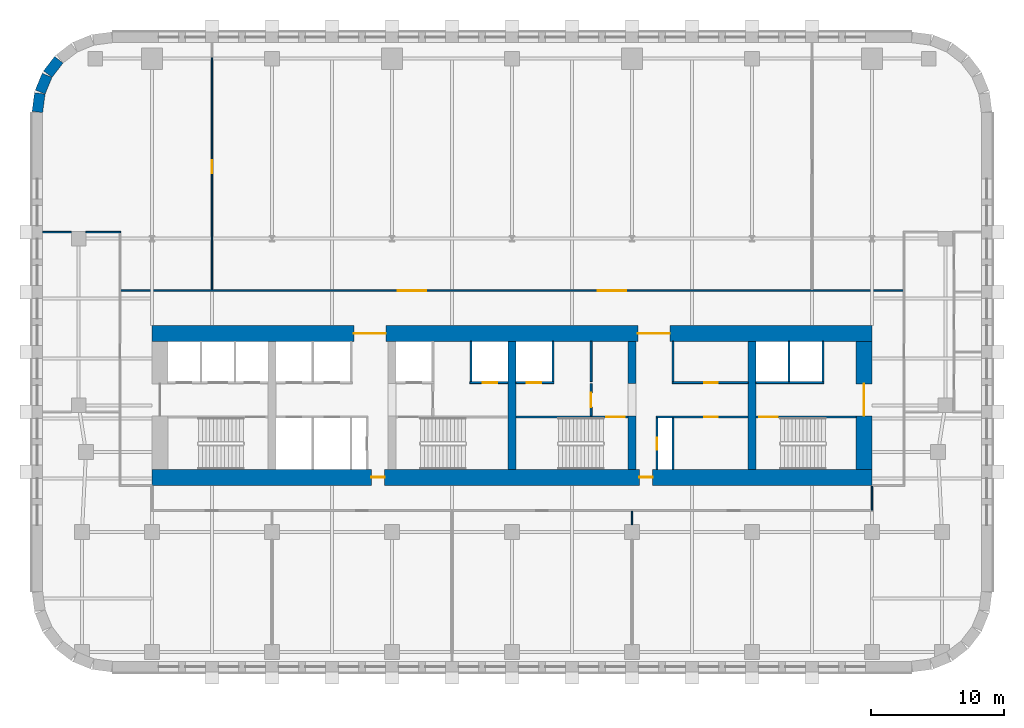
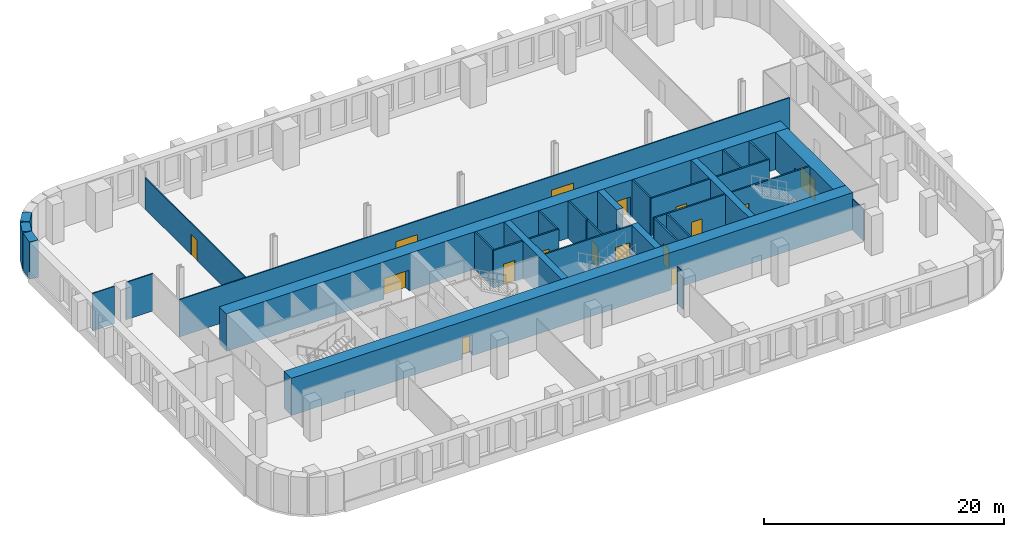
# One storey, part 6 of 11: 32 walls, 16 doors, 16 openings.
"""IFC4 building model written with IfcOpenShell, lengths in metres."""

from ifc_helpers import new_model, si_unit, direction, frame, frame_2d, origin, place, context, subcontext, project, spatial, rectangle, extrude, material, layer, layer_set, type_object, element, fill, save


model = new_model("IFC4")

# Units and contexts
model_context = context("Model", 3, precision=1e-05, world=origin(), true_north=direction((0.0, 1.0)))
body_context = subcontext(model_context, "Body", "Model", "MODEL_VIEW")
ifc_project = project(units=[si_unit("LENGTHUNIT", "METRE"), si_unit("AREAUNIT", "SQUARE_METRE"), si_unit("VOLUMEUNIT", "CUBIC_METRE"), si_unit("PLANEANGLEUNIT", "RADIAN"), si_unit("MASSUNIT", "GRAM", prefix="KILO")], contexts=[model_context])

# Site, building, storey
site_placement = place(None, origin())
site = spatial("IfcSite", under=ifc_project, at=site_placement, CompositionType="ELEMENT")
building_placement = place(site_placement, origin())
building = spatial("IfcBuilding", under=site, at=building_placement, Name="Zellij Exchange Tower", CompositionType="ELEMENT")
storey_placement = place(building_placement, frame((0.0, 0.0, 56.5)))
storey = spatial("IfcBuildingStorey", under=building, at=storey_placement, Name="L10", CompositionType="ELEMENT", Elevation=56.5)

# Walls
ifc_material_1 = material(Name="Concrete C70/85", Category="concrete")
ifc_layer_1 = layer(ifc_material_1, 0.60009765625)
ifc_layer_set_1 = layer_set([ifc_layer_1], Name="Concrete C70/85")
wall_type_1 = type_object("IfcWallType", Name="CORE-CW 600 C70/85", PredefinedType="SHEAR", material=ifc_layer_set_1)
wall_1_placement = place(storey_placement, frame((0.0, -12.800048828125, 0.0), z_axis=(0.0, 0.0, 1.0), x_axis=(0.0, 1.0, 0.0)))
element("IfcWall", 1, at=wall_1_placement, inside=storey, type_object=wall_type_1, Name="Core cross wall x 0 L10", PredefinedType="SHEAR", context=body_context, shape_type="SweptSolid", body=[
    extrude(rectangle(XDim=9.60009765625, YDim=0.60009765625, at=frame_2d((4.800048828125, 0.0))), origin(), (0.0, 0.0, 1.0), 3.800048828125),
])
wall_2_placement = place(storey_placement, frame((9.0, -12.800048828125, 0.0), z_axis=(0.0, 0.0, 1.0), x_axis=(0.0, 1.0, 0.0)))
element("IfcWall", 2, at=wall_2_placement, inside=storey, type_object=wall_type_1, Name="Core cross wall pier x 9 a L10", PredefinedType="SHEAR", context=body_context, shape_type="SweptSolid", body=[
    extrude(rectangle(XDim=4.0, YDim=0.60009765625, at=frame_2d((2.0, 0.0))), origin(), (0.0, 0.0, 1.0), 3.800048828125),
])
wall_3_placement = place(storey_placement, frame((9.0, -6.375, 0.0), z_axis=(0.0, 0.0, 1.0), x_axis=(0.0, 1.0, 0.0)))
element("IfcWall", 3, at=wall_3_placement, inside=storey, type_object=wall_type_1, Name="Core cross wall pier x 9 b L10", PredefinedType="SHEAR", context=body_context, shape_type="SweptSolid", body=[
    extrude(rectangle(XDim=3.175048828125, YDim=0.60009765625, at=frame_2d((1.58740234375, 0.0))), origin(), (0.0, 0.0, 1.0), 3.800048828125),
])
wall_4_placement = place(storey_placement, frame((18.0, -12.800048828125, 0.0), z_axis=(0.0, 0.0, 1.0), x_axis=(0.0, 1.0, 0.0)))
element("IfcWall", 4, at=wall_4_placement, inside=storey, type_object=wall_type_1, Name="Core cross wall x 18 L10", PredefinedType="SHEAR", context=body_context, shape_type="SweptSolid", body=[
    extrude(rectangle(XDim=9.60009765625, YDim=0.60009765625, at=frame_2d((4.800048828125, 0.0))), origin(), (0.0, 0.0, 1.0), 3.800048828125),
])

# Wall, opening, door
ifc_material_2 = material(Name="Gypsum shaft wall system")
ifc_layer_2 = layer(ifc_material_2, 0.14990234375)
ifc_layer_set_2 = layer_set([ifc_layer_2], Name="Gypsum shaft wall system")
wall_type_2 = type_object("IfcWallType", Name="CORE-PW 150 Firefighting lobby wall", PredefinedType="PARTITIONING", material=ifc_layer_set_2)
wall_5_placement = place(storey_placement, frame((5.925048828125, -8.800048828125, 0.0), z_axis=(0.0, 0.0, 1.0), x_axis=(0.0, 1.0, 0.0)))
wall_5 = element("IfcWall", 5, at=wall_5_placement, inside=storey, type_object=wall_type_2, Name="Firefighting lobby wall L10", PredefinedType="PARTITIONING", context=body_context, shape_type="SweptSolid", body=[
    extrude(rectangle(XDim=2.425048828125, YDim=0.14990234375, at=frame_2d((1.21240234375, 0.0))), origin(), (0.0, 0.0, 1.0), 3.800048828125),
])
opening_1_placement = place(wall_5_placement, frame((0.662109375, 0.0, 0.0)))
opening_1 = element("IfcOpeningElement", 6, at=opening_1_placement, cuts=wall_5, Name="Opening CA-07.18", PredefinedType="OPENING", context=body_context, shape_type="SweptSolid", body=[
    extrude(rectangle(XDim=1.10009765625, YDim=2.10009765625, at=frame_2d((0.550048828125, 1.050048828125))), frame((0.0, 0.0869140625, 0.0), z_axis=(0.0, -1.0, 0.0), x_axis=(1.0, 0.0, 0.0)), (0.0, 0.0, 1.0), 0.173828125),
])
ifc_material_3 = material(Name="Hollow metal fire door")
door_type_1 = type_object("IfcDoorType", Name="CORE-D F Firefighting lobby door 1100x2100 1 HR", OperationType="NOTDEFINED", PredefinedType="DOOR", material=ifc_material_3)
door_1_placement = place(opening_1_placement, origin())
door_1 = element("IfcDoor", 7, at=door_1_placement, inside=storey, type_object=door_type_1, Name="Firefighting lobby door CA-07.18", OperationType="SINGLE_SWING_RIGHT", OverallHeight=2.10009765625, OverallWidth=1.10009765625, PredefinedType="DOOR", context=body_context, shape_type="SweptSolid", body=[
    extrude(rectangle(XDim=1.10009765625, YDim=2.10009765625, at=frame_2d((0.550048828125, 1.050048828125))), frame((0.0, 0.02490234375, 0.0), z_axis=(0.0, -1.0, 0.0), x_axis=(1.0, 0.0, 0.0)), (0.0, 0.0, 1.0), 0.050048828125),
])
fill(opening_1, door_1)

# Walls
ifc_material_4 = material(Name="Gypsum board partition")
ifc_layer_3 = layer(ifc_material_4, 0.14990234375)
ifc_layer_set_3 = layer_set([ifc_layer_3], Name="Gypsum board partition")
wall_type_3 = type_object("IfcWallType", Name="CORE-PW 150 Lift lobby wall", PredefinedType="PARTITIONING", material=ifc_layer_set_3)
for number, where, z_axis, x_axis, name in (
    (8, (5.925048828125, -6.22509765625, 0.0), (0.0, 0.0, 1.0), (0.0, 1.0, 0.0), "Lift lobby wall L10"),
    (9, (12.074951171875, -6.22509765625, 0.0), (0.0, 0.0, 1.0), (0.0, 1.0, 0.0), "Lift lobby wall L10"),
):
    element("IfcWall", number, at=place(storey_placement, frame(where, z_axis=z_axis, x_axis=x_axis)), inside=storey, type_object=wall_type_3, Name=name, PredefinedType="PARTITIONING", context=body_context, shape_type="SweptSolid", body=[
        extrude(rectangle(XDim=3.025146484375, YDim=0.14990234375, at=frame_2d((1.5126953125, 0.0))), origin(), (0.0, 0.0, 1.0), 3.800048828125),
    ])

# Wall, opening, door
wall_6_placement = place(storey_placement, frame((10.875, -12.800048828125, 0.0), z_axis=(0.0, 0.0, 1.0), x_axis=(0.0, 1.0, 0.0)))
wall_6 = element("IfcWall", 10, at=wall_6_placement, inside=storey, type_object=wall_type_3, Name="Lift lobby wall L10", PredefinedType="PARTITIONING", context=body_context, shape_type="SweptSolid", body=[
    extrude(rectangle(XDim=3.85009765625, YDim=0.14990234375, at=frame_2d((1.925048828125, 0.0))), origin(), (0.0, 0.0, 1.0), 3.800048828125),
])
opening_2_placement = place(wall_6_placement, frame((1.47509765625, 0.0, 0.0)))
opening_2 = element("IfcOpeningElement", 11, at=opening_2_placement, cuts=wall_6, Name="Opening CA-07.22", PredefinedType="OPENING", context=body_context, shape_type="SweptSolid", body=[
    extrude(rectangle(XDim=0.89990234375, YDim=2.10009765625, at=frame_2d((0.449951171875, 1.050048828125))), frame((0.0, 0.0869140625, 0.0), z_axis=(0.0, -1.0, 0.0), x_axis=(1.0, 0.0, 0.0)), (0.0, 0.0, 1.0), 0.173828125),
])
door_type_2 = type_object("IfcDoorType", Name="CORE-D RD Riser door 900x2100 1.5 HR", OperationType="NOTDEFINED", PredefinedType="DOOR", material=ifc_material_3)
door_2_placement = place(opening_2_placement, origin())
door_2 = element("IfcDoor", 12, at=door_2_placement, inside=storey, type_object=door_type_2, Name="Riser door CA-07.22", OperationType="SINGLE_SWING_LEFT", OverallHeight=2.10009765625, OverallWidth=0.89990234375, PredefinedType="DOOR", context=body_context, shape_type="SweptSolid", body=[
    extrude(rectangle(XDim=0.89990234375, YDim=2.10009765625, at=frame_2d((0.449951171875, 1.050048828125))), frame((0.0, 0.02490234375, 0.0), z_axis=(0.0, -1.0, 0.0), x_axis=(1.0, 0.0, 0.0)), (0.0, 0.0, 1.0), 0.050048828125),
])
fill(opening_2, door_2)

# Wall
wall_7_placement = place(storey_placement, frame((12.074951171875, -12.800048828125, 0.0), z_axis=(0.0, 0.0, 1.0), x_axis=(0.0, 1.0, 0.0)))
element("IfcWall", 13, at=wall_7_placement, inside=storey, type_object=wall_type_3, Name="Lift lobby wall L10", PredefinedType="PARTITIONING", context=body_context, shape_type="SweptSolid", body=[
    extrude(rectangle(XDim=3.85009765625, YDim=0.14990234375, at=frame_2d((1.925048828125, 0.0))), origin(), (0.0, 0.0, 1.0), 3.800048828125),
])

# Wall, opening, door
wall_8_placement = place(storey_placement, frame((12.0, -6.300048828125, 0.0), z_axis=(0.0, 0.0, 1.0), x_axis=(1.0, 0.0, 0.0)))
wall_8 = element("IfcWall", 14, at=wall_8_placement, inside=storey, type_object=wall_type_3, Name="Lift lobby wall L10", PredefinedType="PARTITIONING", context=body_context, shape_type="SweptSolid", body=[
    extrude(rectangle(XDim=5.699951171875, YDim=0.14990234375, at=frame_2d((2.85009765625, 0.0))), origin(), (0.0, 0.0, 1.0), 3.800048828125),
])
opening_3_placement = place(wall_8_placement, frame((2.425048828125, 0.0, 0.0)))
opening_3 = element("IfcOpeningElement", 15, at=opening_3_placement, cuts=wall_8, Name="Opening CA-07.24", PredefinedType="OPENING", context=body_context, shape_type="SweptSolid", body=[
    extrude(rectangle(XDim=1.0, YDim=2.10009765625, at=frame_2d((0.5, 1.050048828125))), frame((0.0, 0.0869140625, 0.0), z_axis=(0.0, -1.0, 0.0), x_axis=(1.0, 0.0, 0.0)), (0.0, 0.0, 1.0), 0.173828125),
])
door_type_3 = type_object("IfcDoorType", Name="CORE-D CD Core room door 1000x2100 1 HR", OperationType="NOTDEFINED", PredefinedType="DOOR", material=ifc_material_3)
door_3_placement = place(opening_3_placement, origin())
door_3 = element("IfcDoor", 16, at=door_3_placement, inside=storey, type_object=door_type_3, Name="Core room door CA-07.24", OperationType="SINGLE_SWING_RIGHT", OverallHeight=2.10009765625, OverallWidth=1.0, PredefinedType="DOOR", context=body_context, shape_type="SweptSolid", body=[
    extrude(rectangle(XDim=1.0, YDim=2.10009765625, at=frame_2d((0.5, 1.050048828125))), frame((0.0, 0.02490234375, 0.0), z_axis=(0.0, -1.0, 0.0), x_axis=(1.0, 0.0, 0.0)), (0.0, 0.0, 1.0), 0.050048828125),
])
fill(opening_3, door_3)

wall_9_placement = place(storey_placement, frame((10.800048828125, -8.875, 0.0), z_axis=(0.0, 0.0, 1.0), x_axis=(1.0, 0.0, 0.0)))
wall_9 = element("IfcWall", 17, at=wall_9_placement, inside=storey, type_object=wall_type_3, Name="Lift lobby wall L10", PredefinedType="PARTITIONING", context=body_context, shape_type="SweptSolid", body=[
    extrude(rectangle(XDim=6.89990234375, YDim=0.14990234375, at=frame_2d((3.449951171875, 0.0))), origin(), (0.0, 0.0, 1.0), 3.800048828125),
])
opening_4_placement = place(wall_9_placement, frame((3.625, 0.0, 0.0)))
opening_4 = element("IfcOpeningElement", 18, at=opening_4_placement, cuts=wall_9, Name="Opening CA-07.23", PredefinedType="OPENING", context=body_context, shape_type="SweptSolid", body=[
    extrude(rectangle(XDim=1.0, YDim=2.10009765625, at=frame_2d((0.5, 1.050048828125))), frame((0.0, 0.0869140625, 0.0), z_axis=(0.0, -1.0, 0.0), x_axis=(1.0, 0.0, 0.0)), (0.0, 0.0, 1.0), 0.173828125),
])
door_4_placement = place(opening_4_placement, origin())
door_4 = element("IfcDoor", 19, at=door_4_placement, inside=storey, type_object=door_type_3, Name="Core room door CA-07.23", OperationType="SINGLE_SWING_LEFT", OverallHeight=2.10009765625, OverallWidth=1.0, PredefinedType="DOOR", context=body_context, shape_type="SweptSolid", body=[
    extrude(rectangle(XDim=1.0, YDim=2.10009765625, at=frame_2d((0.5, 1.050048828125))), frame((0.0, 0.02490234375, 0.0), z_axis=(0.0, -1.0, 0.0), x_axis=(1.0, 0.0, 0.0)), (0.0, 0.0, 1.0), 0.050048828125),
])
fill(opening_4, door_4)

# Walls
ifc_layer_4 = layer(ifc_material_2, 0.14990234375)
ifc_layer_set_4 = layer_set([ifc_layer_4], Name="Gypsum shaft wall system")
wall_type_4 = type_object("IfcWallType", Name="CORE-PW 150 Lift shaft wall", PredefinedType="PARTITIONING", material=ifc_layer_set_4)
for number, where, z_axis, x_axis, name in (
    (20, (-3.074951171875, -6.22509765625, 0.0), (0.0, 0.0, 1.0), (0.0, 1.0, 0.0), "Lift shaft wall L10"),
    (21, (3.074951171875, -6.22509765625, 0.0), (0.0, 0.0, 1.0), (0.0, 1.0, 0.0), "Lift shaft wall L10"),
    (22, (20.77490234375, -6.22509765625, 0.0), (0.0, 0.0, 1.0), (0.0, 1.0, 0.0), "Lift shaft wall L10"),
    (23, (23.324951171875, -6.22509765625, 0.0), (0.0, 0.0, 1.0), (0.0, 1.0, 0.0), "Lift shaft wall L10"),
):
    element("IfcWall", number, at=place(storey_placement, frame(where, z_axis=z_axis, x_axis=x_axis)), inside=storey, type_object=wall_type_4, Name=name, PredefinedType="PARTITIONING", context=body_context, shape_type="SweptSolid", body=[
        extrude(rectangle(XDim=3.025146484375, YDim=0.14990234375, at=frame_2d((1.5126953125, 0.0))), origin(), (0.0, 0.0, 1.0), 3.800048828125),
    ])

# Wall, opening, door
wall_10_placement = place(storey_placement, frame((-3.14990234375, -6.300048828125, 0.0), z_axis=(0.0, 0.0, 1.0), x_axis=(1.0, 0.0, 0.0)))
wall_10 = element("IfcWall", 24, at=wall_10_placement, inside=storey, type_object=wall_type_4, Name="Lift shaft wall L10", PredefinedType="PARTITIONING", context=body_context, shape_type="SweptSolid", body=[
    extrude(rectangle(XDim=2.849853515625, YDim=0.14990234375, at=frame_2d((1.4248046875, 0.0))), origin(), (0.0, 0.0, 1.0), 3.800048828125),
])
opening_5_placement = place(wall_10_placement, frame((0.949951171875, 0.0, 0.0)))
opening_5 = element("IfcOpeningElement", 25, at=opening_5_placement, cuts=wall_10, Name="Opening CA-07.16", PredefinedType="OPENING", context=body_context, shape_type="SweptSolid", body=[
    extrude(rectangle(XDim=1.10009765625, YDim=2.10009765625, at=frame_2d((0.550048828125, 1.050048828125))), frame((0.0, 0.0869140625, 0.0), z_axis=(0.0, -1.0, 0.0), x_axis=(1.0, 0.0, 0.0)), (0.0, 0.0, 1.0), 0.173828125),
])
door_type_4 = type_object("IfcDoorType", Name="CORE-D LD Lift landing door 1100x2100 1.5 HR", OperationType="NOTDEFINED", PredefinedType="DOOR", material=ifc_material_3)
door_5_placement = place(opening_5_placement, origin())
door_5 = element("IfcDoor", 26, at=door_5_placement, inside=storey, type_object=door_type_4, Name="Lift landing door CA-07.16", OperationType="SLIDING_TO_RIGHT", OverallHeight=2.10009765625, OverallWidth=1.10009765625, PredefinedType="DOOR", context=body_context, shape_type="SweptSolid", body=[
    extrude(rectangle(XDim=1.10009765625, YDim=2.10009765625, at=frame_2d((0.550048828125, 1.050048828125))), frame((0.0, 0.02490234375, 0.0), z_axis=(0.0, -1.0, 0.0), x_axis=(1.0, 0.0, 0.0)), (0.0, 0.0, 1.0), 0.050048828125),
])
fill(opening_5, door_5)

wall_11_placement = place(storey_placement, frame((0.300048828125, -6.300048828125, 0.0), z_axis=(0.0, 0.0, 1.0), x_axis=(1.0, 0.0, 0.0)))
wall_11 = element("IfcWall", 27, at=wall_11_placement, inside=storey, type_object=wall_type_4, Name="Lift shaft wall L10", PredefinedType="PARTITIONING", context=body_context, shape_type="SweptSolid", body=[
    extrude(rectangle(XDim=2.849853515625, YDim=0.14990234375, at=frame_2d((1.4248046875, 0.0))), origin(), (0.0, 0.0, 1.0), 3.800048828125),
])
opening_6_placement = place(wall_11_placement, frame((0.800048828125, 0.0, 0.0)))
opening_6 = element("IfcOpeningElement", 28, at=opening_6_placement, cuts=wall_11, Name="Opening CA-07.17", PredefinedType="OPENING", context=body_context, shape_type="SweptSolid", body=[
    extrude(rectangle(XDim=1.10009765625, YDim=2.10009765625, at=frame_2d((0.550048828125, 1.050048828125))), frame((0.0, 0.0869140625, 0.0), z_axis=(0.0, -1.0, 0.0), x_axis=(1.0, 0.0, 0.0)), (0.0, 0.0, 1.0), 0.173828125),
])
door_6_placement = place(opening_6_placement, origin())
door_6 = element("IfcDoor", 29, at=door_6_placement, inside=storey, type_object=door_type_4, Name="Lift landing door CA-07.17", OperationType="SLIDING_TO_LEFT", OverallHeight=2.10009765625, OverallWidth=1.10009765625, PredefinedType="DOOR", context=body_context, shape_type="SweptSolid", body=[
    extrude(rectangle(XDim=1.10009765625, YDim=2.10009765625, at=frame_2d((0.550048828125, 1.050048828125))), frame((0.0, 0.02490234375, 0.0), z_axis=(0.0, -1.0, 0.0), x_axis=(1.0, 0.0, 0.0)), (0.0, 0.0, 1.0), 0.050048828125),
])
fill(opening_6, door_6)

# Wall
wall_12_placement = place(storey_placement, frame((18.300048828125, -6.300048828125, 0.0), z_axis=(0.0, 0.0, 1.0), x_axis=(1.0, 0.0, 0.0)))
element("IfcWall", 30, at=wall_12_placement, inside=storey, type_object=wall_type_4, Name="Lift shaft wall L10", PredefinedType="PARTITIONING", context=body_context, shape_type="SweptSolid", body=[
    extrude(rectangle(XDim=5.099853515625, YDim=0.14990234375, at=frame_2d((2.5498046875, 0.0))), origin(), (0.0, 0.0, 1.0), 3.800048828125),
])

# Wall, openings, doors
ifc_layer_5 = layer(ifc_material_1, 1.199951171875)
ifc_layer_set_5 = layer_set([ifc_layer_5], Name="Concrete C70/85")
wall_type_5 = type_object("IfcWallType", Name="CORE-SW 1200 C70/85", PredefinedType="SHEAR", material=ifc_layer_set_5)
wall_13_placement = place(storey_placement, frame((-27.0, -2.60009765625, 0.0), z_axis=(0.0, 0.0, 1.0), x_axis=(1.0, 0.0, 0.0)))
wall_13 = element("IfcWall", 31, at=wall_13_placement, inside=storey, type_object=wall_type_5, Name="Core shear wall front L10", PredefinedType="SHEAR", context=body_context, shape_type="SweptSolid", body=[
    extrude(rectangle(XDim=54.0, YDim=1.199951171875, at=frame_2d((27.0, 0.0))), origin(), (0.0, 0.0, 1.0), 3.800048828125),
])
opening_7_placement = place(wall_13_placement, frame((15.14990234375, 0.0, 0.0)))
opening_7 = element("IfcOpeningElement", 32, at=opening_7_placement, cuts=wall_13, Name="Opening CA-07.11", PredefinedType="OPENING", context=body_context, shape_type="SweptSolid", body=[
    extrude(rectangle(XDim=2.39990234375, YDim=2.10009765625, at=frame_2d((1.199951171875, 1.050048828125))), frame((0.0, 0.61181640625, 0.0), z_axis=(0.0, -1.0, 0.0), x_axis=(1.0, 0.0, 0.0)), (0.0, 0.0, 1.0), 1.223876953125),
])
opening_8_placement = place(wall_13_placement, frame((36.449951171875, 0.0, 0.0)))
opening_8 = element("IfcOpeningElement", 33, at=opening_8_placement, cuts=wall_13, Name="Opening CA-07.21", PredefinedType="OPENING", context=body_context, shape_type="SweptSolid", body=[
    extrude(rectangle(XDim=2.39990234375, YDim=2.10009765625, at=frame_2d((1.199951171875, 1.050048828125))), frame((0.0, 0.61181640625, 0.0), z_axis=(0.0, -1.0, 0.0), x_axis=(1.0, 0.0, 0.0)), (0.0, 0.0, 1.0), 1.223876953125),
])
door_type_5 = type_object("IfcDoorType", Name="CORE-D CE Core entrance door 2400x2100 20 MIN", OperationType="NOTDEFINED", PredefinedType="DOOR", material=ifc_material_3)
door_7_placement = place(opening_7_placement, origin())
door_7 = element("IfcDoor", 34, at=door_7_placement, inside=storey, type_object=door_type_5, Name="Core entrance door CA-07.11", OperationType="DOUBLE_DOOR_SINGLE_SWING", OverallHeight=2.10009765625, OverallWidth=2.39990234375, PredefinedType="DOOR", context=body_context, shape_type="SweptSolid", body=[
    extrude(rectangle(XDim=2.39990234375, YDim=2.10009765625, at=frame_2d((1.199951171875, 1.050048828125))), frame((0.0, 0.02490234375, 0.0), z_axis=(0.0, -1.0, 0.0), x_axis=(1.0, 0.0, 0.0)), (0.0, 0.0, 1.0), 0.050048828125),
])
fill(opening_7, door_7)
door_8_placement = place(opening_8_placement, origin())
door_8 = element("IfcDoor", 35, at=door_8_placement, inside=storey, type_object=door_type_5, Name="Core entrance door CA-07.21", OperationType="DOUBLE_DOOR_SINGLE_SWING", OverallHeight=2.10009765625, OverallWidth=2.39990234375, PredefinedType="DOOR", context=body_context, shape_type="SweptSolid", body=[
    extrude(rectangle(XDim=2.39990234375, YDim=2.10009765625, at=frame_2d((1.199951171875, 1.050048828125))), frame((0.0, 0.02490234375, 0.0), z_axis=(0.0, -1.0, 0.0), x_axis=(1.0, 0.0, 0.0)), (0.0, 0.0, 1.0), 0.050048828125),
])
fill(opening_8, door_8)

wall_14_placement = place(storey_placement, frame((-27.0, -13.39990234375, 0.0), z_axis=(0.0, 0.0, 1.0), x_axis=(1.0, 0.0, 0.0)))
wall_14 = element("IfcWall", 36, at=wall_14_placement, inside=storey, type_object=wall_type_5, Name="Core shear wall rear L10", PredefinedType="SHEAR", context=body_context, shape_type="SweptSolid", body=[
    extrude(rectangle(XDim=54.0, YDim=1.199951171875, at=frame_2d((27.0, 0.0))), origin(), (0.0, 0.0, 1.0), 3.800048828125),
])
opening_9_placement = place(wall_14_placement, frame((16.449951171875, 0.0, 0.0)))
opening_9 = element("IfcOpeningElement", 37, at=opening_9_placement, cuts=wall_14, Name="Opening CA-07.12", PredefinedType="OPENING", context=body_context, shape_type="SweptSolid", body=[
    extrude(rectangle(XDim=1.0, YDim=2.10009765625, at=frame_2d((0.5, 1.050048828125))), frame((0.0, 0.61181640625, 0.0), z_axis=(0.0, -1.0, 0.0), x_axis=(1.0, 0.0, 0.0)), (0.0, 0.0, 1.0), 1.223876953125),
])
opening_10_placement = place(wall_14_placement, frame((36.550048828125, 0.0, 0.0)))
opening_10 = element("IfcOpeningElement", 38, at=opening_10_placement, cuts=wall_14, Name="Opening CA-07.20", PredefinedType="OPENING", context=body_context, shape_type="SweptSolid", body=[
    extrude(rectangle(XDim=1.0, YDim=2.10009765625, at=frame_2d((0.5, 1.050048828125))), frame((0.0, 0.61181640625, 0.0), z_axis=(0.0, -1.0, 0.0), x_axis=(1.0, 0.0, 0.0)), (0.0, 0.0, 1.0), 1.223876953125),
])
door_type_6 = type_object("IfcDoorType", Name="CORE-D CR Core rear door 1000x2100 20 MIN", OperationType="NOTDEFINED", PredefinedType="DOOR", material=ifc_material_3)
door_9_placement = place(opening_9_placement, origin())
door_9 = element("IfcDoor", 39, at=door_9_placement, inside=storey, type_object=door_type_6, Name="Core rear door CA-07.12", OperationType="SINGLE_SWING_RIGHT", OverallHeight=2.10009765625, OverallWidth=1.0, PredefinedType="DOOR", context=body_context, shape_type="SweptSolid", body=[
    extrude(rectangle(XDim=1.0, YDim=2.10009765625, at=frame_2d((0.5, 1.050048828125))), frame((0.0, 0.02490234375, 0.0), z_axis=(0.0, -1.0, 0.0), x_axis=(1.0, 0.0, 0.0)), (0.0, 0.0, 1.0), 0.050048828125),
])
fill(opening_9, door_9)
door_10_placement = place(opening_10_placement, origin())
door_10 = element("IfcDoor", 40, at=door_10_placement, inside=storey, type_object=door_type_6, Name="Core rear door CA-07.20", OperationType="SINGLE_SWING_LEFT", OverallHeight=2.10009765625, OverallWidth=1.0, PredefinedType="DOOR", context=body_context, shape_type="SweptSolid", body=[
    extrude(rectangle(XDim=1.0, YDim=2.10009765625, at=frame_2d((0.5, 1.050048828125))), frame((0.0, 0.02490234375, 0.0), z_axis=(0.0, -1.0, 0.0), x_axis=(1.0, 0.0, 0.0)), (0.0, 0.0, 1.0), 0.050048828125),
])
fill(opening_10, door_10)

# Wall, opening, door
wall_15_placement = place(storey_placement, frame((26.39990234375, -12.800048828125, 0.0), z_axis=(0.0, 0.0, 1.0), x_axis=(0.0, 1.0, 0.0)))
wall_15 = element("IfcWall", 41, at=wall_15_placement, inside=storey, type_object=wall_type_5, Name="Core shear wall end e L10", PredefinedType="SHEAR", context=body_context, shape_type="SweptSolid", body=[
    extrude(rectangle(XDim=9.60009765625, YDim=1.199951171875, at=frame_2d((4.800048828125, 0.0))), origin(), (0.0, 0.0, 1.0), 3.800048828125),
])
opening_11_placement = place(wall_15_placement, frame((4.011962890625, 0.0, 0.0)))
opening_11 = element("IfcOpeningElement", 42, at=opening_11_placement, cuts=wall_15, Name="Opening CA-07.26", PredefinedType="OPENING", context=body_context, shape_type="SweptSolid", body=[
    extrude(rectangle(XDim=2.39990234375, YDim=2.10009765625, at=frame_2d((1.199951171875, 1.050048828125))), frame((0.0, 0.61181640625, 0.0), z_axis=(0.0, -1.0, 0.0), x_axis=(1.0, 0.0, 0.0)), (0.0, 0.0, 1.0), 1.223876953125),
])
door_11_placement = place(opening_11_placement, origin())
door_11 = element("IfcDoor", 43, at=door_11_placement, inside=storey, type_object=door_type_5, Name="Core entrance door CA-07.26", OperationType="DOUBLE_DOOR_SINGLE_SWING", OverallHeight=2.10009765625, OverallWidth=2.39990234375, PredefinedType="DOOR", context=body_context, shape_type="SweptSolid", body=[
    extrude(rectangle(XDim=2.39990234375, YDim=2.10009765625, at=frame_2d((1.199951171875, 1.050048828125))), frame((0.0, 0.02490234375, 0.0), z_axis=(0.0, -1.0, 0.0), x_axis=(1.0, 0.0, 0.0)), (0.0, 0.0, 1.0), 0.050048828125),
])
fill(opening_11, door_11)

ifc_layer_6 = layer(ifc_material_1, 0.14990234375)
ifc_layer_set_6 = layer_set([ifc_layer_6], Name="Concrete C70/85")
wall_type_6 = type_object("IfcWallType", Name="CORE-SWS 150 C70/85", PredefinedType="SHEAR", material=ifc_layer_set_6)
wall_16_placement = place(storey_placement, frame((0.300048828125, -8.875, 0.0), z_axis=(0.0, 0.0, 1.0), x_axis=(1.0, 0.0, 0.0)))
wall_16 = element("IfcWall", 44, at=wall_16_placement, inside=storey, type_object=wall_type_6, Name="Stair enclosure wall L10", PredefinedType="SHEAR", context=body_context, shape_type="SweptSolid", body=[
    extrude(rectangle(XDim=8.39990234375, YDim=0.14990234375, at=frame_2d((4.199951171875, 0.0))), origin(), (0.0, 0.0, 1.0), 3.800048828125),
])
opening_12_placement = place(wall_16_placement, frame((6.77490234375, 0.0, 0.0)))
opening_12 = element("IfcOpeningElement", 45, at=opening_12_placement, cuts=wall_16, Name="Opening CA-07.19", PredefinedType="OPENING", context=body_context, shape_type="SweptSolid", body=[
    extrude(rectangle(XDim=1.39990234375, YDim=2.10009765625, at=frame_2d((0.699951171875, 1.050048828125))), frame((0.0, 0.0869140625, 0.0), z_axis=(0.0, -1.0, 0.0), x_axis=(1.0, 0.0, 0.0)), (0.0, 0.0, 1.0), 0.173828125),
])
door_type_7 = type_object("IfcDoorType", Name="CORE-D SD Stair door 1400x2100 1.5 HR", OperationType="NOTDEFINED", PredefinedType="DOOR", material=ifc_material_3)
door_12_placement = place(opening_12_placement, origin())
door_12 = element("IfcDoor", 46, at=door_12_placement, inside=storey, type_object=door_type_7, Name="Stair door CA-07.19", OperationType="DOUBLE_DOOR_SINGLE_SWING", OverallHeight=2.10009765625, OverallWidth=1.39990234375, PredefinedType="DOOR", context=body_context, shape_type="SweptSolid", body=[
    extrude(rectangle(XDim=1.39990234375, YDim=2.10009765625, at=frame_2d((0.699951171875, 1.050048828125))), frame((0.0, 0.02490234375, 0.0), z_axis=(0.0, -1.0, 0.0), x_axis=(1.0, 0.0, 0.0)), (0.0, 0.0, 1.0), 0.050048828125),
])
fill(opening_12, door_12)

wall_17_placement = place(storey_placement, frame((18.300048828125, -8.875, 0.0), z_axis=(0.0, 0.0, 1.0), x_axis=(1.0, 0.0, 0.0)))
wall_17 = element("IfcWall", 47, at=wall_17_placement, inside=storey, type_object=wall_type_6, Name="Stair enclosure wall L10", PredefinedType="SHEAR", context=body_context, shape_type="SweptSolid", body=[
    extrude(rectangle(XDim=7.5, YDim=0.14990234375, at=frame_2d((3.75, 0.0))), origin(), (0.0, 0.0, 1.0), 3.800048828125),
])
opening_13_placement = place(wall_17_placement, frame((0.22509765625, 0.0, 0.0)))
opening_13 = element("IfcOpeningElement", 48, at=opening_13_placement, cuts=wall_17, Name="Opening CA-07.25", PredefinedType="OPENING", context=body_context, shape_type="SweptSolid", body=[
    extrude(rectangle(XDim=1.39990234375, YDim=2.10009765625, at=frame_2d((0.699951171875, 1.050048828125))), frame((0.0, 0.0869140625, 0.0), z_axis=(0.0, -1.0, 0.0), x_axis=(1.0, 0.0, 0.0)), (0.0, 0.0, 1.0), 0.173828125),
])
door_13_placement = place(opening_13_placement, origin())
door_13 = element("IfcDoor", 49, at=door_13_placement, inside=storey, type_object=door_type_7, Name="Stair door CA-07.25", OperationType="DOUBLE_DOOR_SINGLE_SWING", OverallHeight=2.10009765625, OverallWidth=1.39990234375, PredefinedType="DOOR", context=body_context, shape_type="SweptSolid", body=[
    extrude(rectangle(XDim=1.39990234375, YDim=2.10009765625, at=frame_2d((0.699951171875, 1.050048828125))), frame((0.0, 0.02490234375, 0.0), z_axis=(0.0, -1.0, 0.0), x_axis=(1.0, 0.0, 0.0)), (0.0, 0.0, 1.0), 0.050048828125),
])
fill(opening_13, door_13)

# Walls
ifc_material_5 = material(Name="Precast concrete C40/50", Category="concrete")
ifc_layer_7 = layer(ifc_material_5, 0.800048828125)
ifc_layer_set_7 = layer_set([ifc_layer_7], Name="Precast concrete C40/50")
wall_type_7 = type_object("IfcWallType", Name="ENV-EW1 Precast stone-piered wall 800", PredefinedType="SOLIDWALL", material=ifc_layer_set_7)
wall_18_placement = place(storey_placement, frame((-33.9892578125, 17.91552734375, 0.0), z_axis=(0.0, 0.0, 1.0), x_axis=(-0.608866226366, -0.793272915452, 0.0)))
element("IfcWall", 50, at=wall_18_placement, inside=storey, type_object=wall_type_7, Name="fac.L10.18", PredefinedType="SOLIDWALL", context=body_context, shape_type="SweptSolid", body=[
    extrude(rectangle(XDim=1.355712890625, YDim=0.800048828125, at=frame_2d((0.677734375, 0.0))), origin(), (0.0, 0.0, 1.0), 3.800048828125),
])
wall_19_placement = place(storey_placement, frame((-34.866943359375, 16.74951171875, 0.0), z_axis=(0.0, 0.0, 1.0), x_axis=(-0.38276009378, -0.923847774587, 0.0)))
element("IfcWall", 51, at=wall_19_placement, inside=storey, type_object=wall_type_7, Name="fac.L10.19", PredefinedType="SOLIDWALL", context=body_context, shape_type="SweptSolid", body=[
    extrude(rectangle(XDim=1.35546875, YDim=0.800048828125, at=frame_2d((0.677734375, 0.0))), origin(), (0.0, 0.0, 1.0), 3.800048828125),
])
wall_20_placement = place(storey_placement, frame((-35.412841796875, 15.396240234375, 0.0), z_axis=(0.0, 0.0, 1.0), x_axis=(-0.130517283865, -0.99144603414, 0.0)))
element("IfcWall", 52, at=wall_20_placement, inside=storey, type_object=wall_type_7, Name="fac.L10.20", PredefinedType="SOLIDWALL", context=body_context, shape_type="SweptSolid", body=[
    extrude(rectangle(XDim=1.408447265625, YDim=0.800048828125, at=frame_2d((0.7041015625, 0.0))), origin(), (0.0, 0.0, 1.0), 3.800048828125),
])
ifc_material_6 = material(Name="Gypsum board partition on steel studs", Category="steel")
ifc_layer_8 = layer(ifc_material_6, 0.10009765625)
ifc_layer_set_8 = layer_set([ifc_layer_8], Name="Gypsum board partition on steel studs")
wall_type_8 = type_object("IfcWallType", Name="FIT-PARTITION-100", PredefinedType="PARTITIONING", material=ifc_layer_set_8)
wall_21_placement = place(storey_placement, frame((9.0, -16.949951171875, 0.0), z_axis=(0.0, 0.0, 1.0), x_axis=(0.0, 1.0, 0.0)))
element("IfcWall", 53, at=wall_21_placement, inside=storey, type_object=wall_type_8, Name="FIT-PARTITION-100 006", PredefinedType="PARTITIONING", context=body_context, shape_type="SweptSolid", body=[
    extrude(rectangle(XDim=1.0, YDim=0.10009765625, at=frame_2d((0.5, 0.0))), origin(), (0.0, 0.0, 1.0), 3.800048828125),
])
wall_22_placement = place(storey_placement, frame((27.0, -15.85009765625, 0.0), z_axis=(0.0, 0.0, 1.0), x_axis=(0.0, 1.0, 0.0)))
element("IfcWall", 54, at=wall_22_placement, inside=storey, type_object=wall_type_8, Name="FIT-PARTITION-100 009", PredefinedType="PARTITIONING", context=body_context, shape_type="SweptSolid", body=[
    extrude(rectangle(XDim=1.800048828125, YDim=0.10009765625, at=frame_2d((0.89990234375, 0.0))), origin(), (0.0, 0.0, 1.0), 3.18798828125),
])

# Wall, openings, doors
wall_23_placement = place(storey_placement, frame((-29.35009765625, 0.60009765625, 0.0), z_axis=(0.0, 0.0, 1.0), x_axis=(1.0, 0.0, 0.0)))
wall_23 = element("IfcWall", 55, at=wall_23_placement, inside=storey, type_object=wall_type_8, Name="FIT-PARTITION-100 021", PredefinedType="PARTITIONING", context=body_context, shape_type="SweptSolid", body=[
    extrude(rectangle(XDim=58.7001953125, YDim=0.10009765625, at=frame_2d((29.35009765625, 0.0))), origin(), (0.0, 0.0, 1.0), 3.800048828125),
])
opening_14_placement = place(wall_23_placement, frame((20.800048828125, 0.0, 0.0)))
opening_14 = element("IfcOpeningElement", 56, at=opening_14_placement, cuts=wall_23, Name="Opening TA.09", PredefinedType="OPENING", context=body_context, shape_type="SweptSolid", body=[
    extrude(rectangle(XDim=2.10009765625, YDim=2.39990234375, at=frame_2d((1.050048828125, 1.199951171875))), frame((0.0, 0.06201171875, 0.0), z_axis=(0.0, -1.0, 0.0), x_axis=(1.0, 0.0, 0.0)), (0.0, 0.0, 1.0), 0.1240234375),
])
opening_15_placement = place(wall_23_placement, frame((35.800048828125, 0.0, 0.0)))
opening_15 = element("IfcOpeningElement", 57, at=opening_15_placement, cuts=wall_23, Name="Opening TA.10", PredefinedType="OPENING", context=body_context, shape_type="SweptSolid", body=[
    extrude(rectangle(XDim=2.10009765625, YDim=2.39990234375, at=frame_2d((1.050048828125, 1.199951171875))), frame((0.0, 0.06201171875, 0.0), z_axis=(0.0, -1.0, 0.0), x_axis=(1.0, 0.0, 0.0)), (0.0, 0.0, 1.0), 0.1240234375),
])
ifc_material_7 = material(Name="Timber door set", Category="wood")
door_type_8 = type_object("IfcDoorType", Name="FIT-D7-ASSEMBLY-2100X2400", OperationType="DOUBLE_DOOR_SINGLE_SWING", PredefinedType="DOOR", material=ifc_material_7)
door_14_placement = place(opening_14_placement, origin())
door_14 = element("IfcDoor", 58, at=door_14_placement, inside=storey, type_object=door_type_8, Name="Door TA.09", OperationType="DOUBLE_DOOR_SINGLE_SWING", OverallHeight=2.39990234375, OverallWidth=2.10009765625, PredefinedType="DOOR", context=body_context, shape_type="SweptSolid", body=[
    extrude(rectangle(XDim=2.10009765625, YDim=2.39990234375, at=frame_2d((1.050048828125, 1.199951171875))), frame((0.0, 0.02490234375, 0.0), z_axis=(0.0, -1.0, 0.0), x_axis=(1.0, 0.0, 0.0)), (0.0, 0.0, 1.0), 0.050048828125),
])
fill(opening_14, door_14)
door_15_placement = place(opening_15_placement, origin())
door_15 = element("IfcDoor", 59, at=door_15_placement, inside=storey, type_object=door_type_8, Name="Door TA.10", OperationType="DOUBLE_DOOR_SINGLE_SWING", OverallHeight=2.39990234375, OverallWidth=2.10009765625, PredefinedType="DOOR", context=body_context, shape_type="SweptSolid", body=[
    extrude(rectangle(XDim=2.10009765625, YDim=2.39990234375, at=frame_2d((1.050048828125, 1.199951171875))), frame((0.0, 0.02490234375, 0.0), z_axis=(0.0, -1.0, 0.0), x_axis=(1.0, 0.0, 0.0)), (0.0, 0.0, 1.0), 0.050048828125),
])
fill(opening_15, door_15)

# Wall, opening, door
wall_24_placement = place(storey_placement, frame((-22.5, 0.64990234375, 0.0), z_axis=(0.0, 0.0, 1.0), x_axis=(0.0, 1.0, 0.0)))
wall_24 = element("IfcWall", 60, at=wall_24_placement, inside=storey, type_object=wall_type_8, Name="FIT-PARTITION-100 022", PredefinedType="PARTITIONING", context=body_context, shape_type="SweptSolid", body=[
    extrude(rectangle(XDim=17.464599609375, YDim=0.10009765625, at=frame_2d((8.732421875, 0.0))), origin(), (0.0, 0.0, 1.0), 3.197998046875),
])
opening_16_placement = place(wall_24_placement, frame((8.75, 0.0, 0.0)))
opening_16 = element("IfcOpeningElement", 61, at=opening_16_placement, cuts=wall_24, Name="Opening TA.12", PredefinedType="OPENING", context=body_context, shape_type="SweptSolid", body=[
    extrude(rectangle(XDim=1.0, YDim=2.10009765625, at=frame_2d((0.5, 1.050048828125))), frame((0.0, 0.06201171875, 0.0), z_axis=(0.0, -1.0, 0.0), x_axis=(1.0, 0.0, 0.0)), (0.0, 0.0, 1.0), 0.1240234375),
])
door_type_9 = type_object("IfcDoorType", Name="FIT-D2-WIDE-1000X2100", OperationType="SINGLE_SWING_LEFT", PredefinedType="DOOR", material=ifc_material_7)
door_16_placement = place(opening_16_placement, origin())
door_16 = element("IfcDoor", 62, at=door_16_placement, inside=storey, type_object=door_type_9, Name="Door TA.12", OperationType="SINGLE_SWING_LEFT", OverallHeight=2.10009765625, OverallWidth=1.0, PredefinedType="DOOR", context=body_context, shape_type="SweptSolid", body=[
    extrude(rectangle(XDim=1.0, YDim=2.10009765625, at=frame_2d((0.5, 1.050048828125))), frame((0.0, 0.02490234375, 0.0), z_axis=(0.0, -1.0, 0.0), x_axis=(1.0, 0.0, 0.0)), (0.0, 0.0, 1.0), 0.050048828125),
])
fill(opening_16, door_16)

# Walls
wall_25_placement = place(storey_placement, frame((-35.199951171875, 4.989990234375, 0.0), z_axis=(0.0, 0.0, 1.0), x_axis=(1.0, 0.0, 0.0)))
element("IfcWall", 63, at=wall_25_placement, inside=storey, type_object=wall_type_8, Name="FIT-PARTITION-100 026", PredefinedType="PARTITIONING", context=body_context, shape_type="SweptSolid", body=[
    extrude(rectangle(XDim=2.14990234375, YDim=0.10009765625, at=frame_2d((1.074951171875, 0.0))), origin(), (0.0, 0.0, 1.0), 3.800048828125),
])
wall_26_placement = place(storey_placement, frame((-31.949951171875, 4.989990234375, 0.0), z_axis=(0.0, 0.0, 1.0), x_axis=(1.0, 0.0, 0.0)))
element("IfcWall", 64, at=wall_26_placement, inside=storey, type_object=wall_type_8, Name="FIT-PARTITION-100 027", PredefinedType="PARTITIONING", context=body_context, shape_type="SweptSolid", body=[
    extrude(rectangle(XDim=2.599853515625, YDim=0.10009765625, at=frame_2d((1.2998046875, 0.0))), origin(), (0.0, 0.0, 1.0), 3.800048828125),
])

save(model, "model.ifc")
